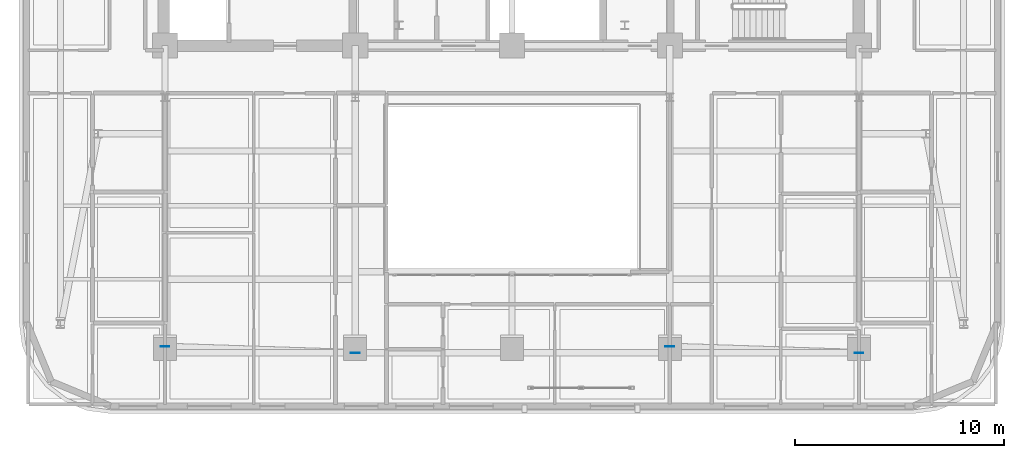
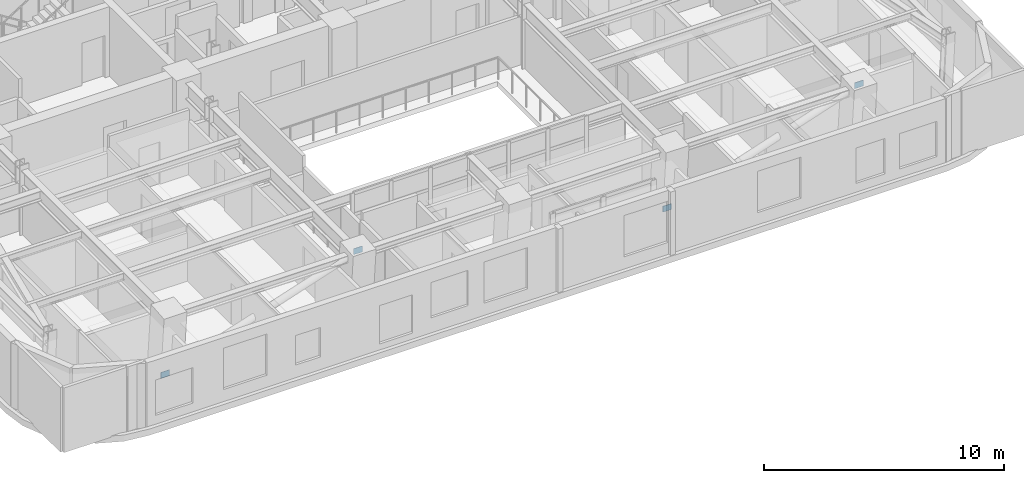
# One storey, part 5 of 13: 4 plates.
"""IFC4 building model written with IfcOpenShell, lengths in metres."""

from ifc_helpers import new_model, si_unit, direction, frame, origin, origin_2d, place, context, subcontext, project, spatial, rectangle, extrude, material, layer, layer_set, type_object, element, save


model = new_model("IFC4")

# Units and contexts
model_context = context("Model", 3, precision=1e-05, world=origin(), true_north=direction((0.0, 1.0)))
body_context = subcontext(model_context, "Body", "Model", "MODEL_VIEW")
ifc_project = project(units=[si_unit("LENGTHUNIT", "METRE"), si_unit("AREAUNIT", "SQUARE_METRE"), si_unit("VOLUMEUNIT", "CUBIC_METRE"), si_unit("PLANEANGLEUNIT", "RADIAN"), si_unit("MASSUNIT", "GRAM", prefix="KILO")], contexts=[model_context])

# Site, building, storey
site_placement = place(None, origin())
site = spatial("IfcSite", under=ifc_project, at=site_placement, CompositionType="ELEMENT")
building_placement = place(site_placement, origin())
building = spatial("IfcBuilding", under=site, at=building_placement, Name="Zarnavel Station Tower", CompositionType="ELEMENT")
storey_placement = place(building_placement, frame((0.0, 0.0, 141.25)))
storey = spatial("IfcBuildingStorey", under=building, at=storey_placement, Name="L38", CompositionType="ELEMENT", Elevation=141.25)

# Plates
ifc_material = material(Name="Steel S460M", Category="steel")
ifc_layer = layer(ifc_material, 0.02490234375)
ifc_layer_set = layer_set([ifc_layer], Name="GP_GUSSET_25")
plate_type = type_object("IfcPlateType", Name="GP_GUSSET_25", PredefinedType="USERDEFINED", material=ifc_layer_set)
for number, where, z_axis, x_axis, name in (
    (1, (12.199951171875, 13.427978515625, -0.14990234375), (0.0, 0.0, 1.0), (1.0, 0.0, 0.0), "L38 Exterior Diagonal Brace End Gusset 1-1"),
    (2, (21.300048828125, 13.1298828125, 3.14013671875), (0.0, 0.0, 1.0), (1.0, 0.0, 0.0), "L38 Exterior Diagonal Brace End Gusset 1-2"),
    (3, (36.35009765625, 13.427978515625, -0.14990234375), (0.0, 0.0, 1.0), (1.0, 0.0, 0.0), "L38 Exterior Diagonal Brace End Gusset 2-1"),
    (4, (45.39990234375, 13.1298828125, 3.14013671875), (0.0, 0.0, 1.0), (1.0, 0.0, 0.0), "L38 Exterior Diagonal Brace End Gusset 2-2"),
):
    element("IfcPlate", number, at=place(storey_placement, frame(where, z_axis=z_axis, x_axis=x_axis)), inside=storey, type_object=plate_type, Name=name, ObjectType="GUSSET_PLATE", PredefinedType="USERDEFINED", context=body_context, shape_type="SweptSolid", body=[
        extrude(rectangle(XDim=0.419921875, YDim=0.02490234375, at=origin_2d()), origin(), (0.0, 0.0, 1.0), 0.300048828125),
    ])

save(model, "model.ifc")
